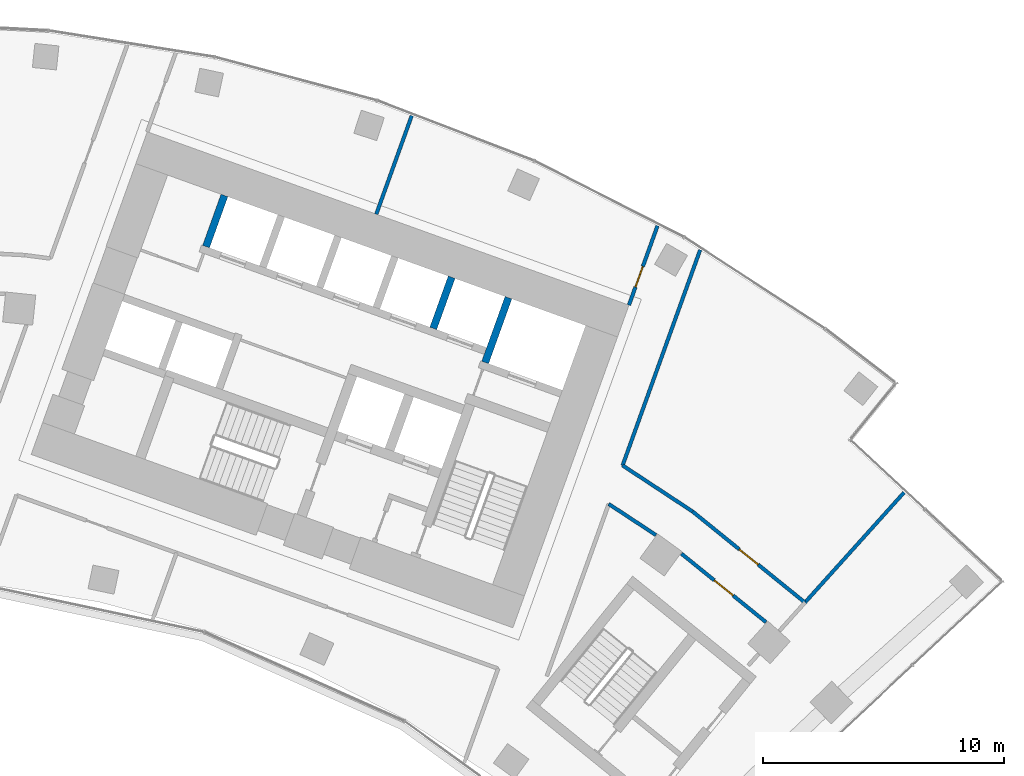
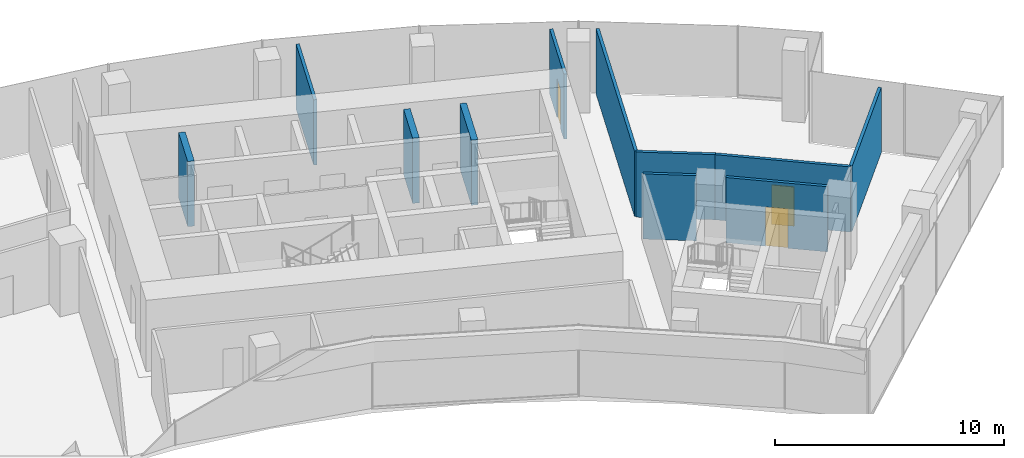
# One storey, part 17 of 20: 11 walls, 3 doors, 3 openings.
"""IFC4 building model written with IfcOpenShell, lengths in metres."""

from ifc_helpers import new_model, si_unit, direction, frame, frame_2d, origin, place, context, subcontext, project, spatial, rectangle, extrude, material, layer, layer_set, type_object, element, fill, save


model = new_model("IFC4")

# Units and contexts
model_context = context("Model", 3, precision=1e-05, world=origin(), true_north=direction((0.0, 1.0)))
body_context = subcontext(model_context, "Body", "Model", "MODEL_VIEW")
ifc_project = project(units=[si_unit("LENGTHUNIT", "METRE"), si_unit("AREAUNIT", "SQUARE_METRE"), si_unit("VOLUMEUNIT", "CUBIC_METRE"), si_unit("PLANEANGLEUNIT", "RADIAN"), si_unit("MASSUNIT", "GRAM", prefix="KILO")], contexts=[model_context])

# Site, building, storey
site_placement = place(None, origin())
site = spatial("IfcSite", under=ifc_project, at=site_placement, CompositionType="ELEMENT")
building_placement = place(site_placement, origin())
building = spatial("IfcBuilding", under=site, at=building_placement, Name="Stone Belt Terrace Tower", CompositionType="ELEMENT")
storey_placement = place(building_placement, frame((0.0, 0.0, 185.800048828125)))
storey = spatial("IfcBuildingStorey", under=building, at=storey_placement, Name="L45", CompositionType="ELEMENT", Elevation=185.800048828125)

# Walls
ifc_material_1 = material(Name="Concrete B80", Category="concrete")
ifc_layer_1 = layer(ifc_material_1, 0.300048828125)
ifc_layer_set_1 = layer_set([ifc_layer_1], Name="Lift shaft wall 300")
wall_type_1 = type_object("IfcWallType", Name="Lift shaft wall 300", PredefinedType="SHEAR", material=ifc_layer_set_1)
wall_1_placement = place(storey_placement, frame((25.046875, 52.46826171875, 0.0), z_axis=(0.0, 0.0, 1.0), x_axis=(0.338549588058, 0.940948551423, 0.0)))
element("IfcWall", 1, at=wall_1_placement, inside=storey, type_object=wall_type_1, Name="Core B wall", PredefinedType="SHEAR", context=body_context, shape_type="SweptSolid", body=[
    extrude(rectangle(XDim=2.849853515625, YDim=0.300048828125, at=frame_2d((1.4248046875, 0.0))), origin(), (0.0, 0.0, 1.0), 3.47998046875),
])
wall_2_placement = place(storey_placement, frame((22.897705078125, 53.87939453125, 0.0), z_axis=(0.0, 0.0, 1.0), x_axis=(0.338535034312, 0.940953787677, 0.0)))
element("IfcWall", 2, at=wall_2_placement, inside=storey, type_object=wall_type_1, Name="Core B wall", PredefinedType="SHEAR", context=body_context, shape_type="SweptSolid", body=[
    extrude(rectangle(XDim=2.25, YDim=0.300048828125, at=frame_2d((1.125, 0.0))), origin(), (0.0, 0.0, 1.0), 3.47998046875),
])
wall_3_placement = place(storey_placement, frame((13.48828125, 57.265625, 0.0), z_axis=(0.0, 0.0, 1.0), x_axis=(0.338631098537, 0.940919220286, 0.0)))
element("IfcWall", 3, at=wall_3_placement, inside=storey, type_object=wall_type_1, Name="Core B wall", PredefinedType="SHEAR", context=body_context, shape_type="SweptSolid", body=[
    extrude(rectangle(XDim=2.250244140625, YDim=0.300048828125, at=frame_2d((1.125, 0.0))), origin(), (0.0, 0.0, 1.0), 3.47998046875),
])

# Wall, opening, door
ifc_material_2 = material(Name="Gypsum board partition")
ifc_layer_2 = layer(ifc_material_2, 0.14990234375)
ifc_layer_set_2 = layer_set([ifc_layer_2], Name="PARTITION 150 EI 60")
wall_type_2 = type_object("IfcWallType", Name="PARTITION 150 EI 60", PredefinedType="PARTITIONING", material=ifc_layer_set_2)
wall_4_placement = place(storey_placement, frame((31.001953125, 54.842041015625, 0.0), z_axis=(0.0, 0.0, 1.0), x_axis=(0.338662585219, 0.940907887826, 0.0)))
wall_4 = element("IfcWall", 4, at=wall_4_placement, inside=storey, type_object=wall_type_2, Name="L45/wall/i021", PredefinedType="PARTITIONING", context=body_context, shape_type="SweptSolid", body=[
    extrude(rectangle(XDim=3.49560546875, YDim=0.14990234375, at=frame_2d((1.747802734375, 0.0))), origin(), (0.0, 0.0, 1.0), 3.47998046875),
])
opening_1_placement = place(wall_4_placement, frame((0.798828125, 0.0, 0.0)))
opening_1 = element("IfcOpeningElement", 5, at=opening_1_placement, cuts=wall_4, Name="Opening D-C5-08", PredefinedType="OPENING", context=body_context, shape_type="SweptSolid", body=[
    extrude(rectangle(XDim=0.89990234375, YDim=2.10009765625, at=frame_2d((0.449951171875, 1.050048828125))), frame((0.0, 0.0849609375, 0.0), z_axis=(0.0, -1.0, 0.0), x_axis=(1.0, 0.0, 0.0)), (0.0, 0.0, 1.0), 0.169921875),
])
ifc_material_3 = material(Name="Timber door leaf", Category="wood")
door_type_1 = type_object("IfcDoorType", Name="OFFICE DOOR 900 X 2100", OperationType="NOTDEFINED", PredefinedType="DOOR", material=ifc_material_3)
door_1_placement = place(opening_1_placement, origin())
door_1 = element("IfcDoor", 6, at=door_1_placement, inside=storey, type_object=door_type_1, Name="L45/door/i08", OperationType="SINGLE_SWING_LEFT", OverallHeight=2.10009765625, OverallWidth=0.89990234375, PredefinedType="DOOR", context=body_context, shape_type="SweptSolid", body=[
    extrude(rectangle(XDim=0.89990234375, YDim=2.10009765625, at=frame_2d((0.449951171875, 1.050048828125))), frame((0.0, 0.02490234375, 0.0), z_axis=(0.0, -1.0, 0.0), x_axis=(1.0, 0.0, 0.0)), (0.0, 0.0, 1.0), 0.050048828125),
])
fill(opening_1, door_1)

# Walls
wall_5_placement = place(storey_placement, frame((33.951904296875, 57.131103515625, 0.0), z_axis=(0.0, 0.0, 1.0), x_axis=(-0.338586530295, -0.940935258933, 0.0)))
element("IfcWall", 7, at=wall_5_placement, inside=storey, type_object=wall_type_2, Name="L45/wall/i024", PredefinedType="PARTITIONING", context=body_context, shape_type="SweptSolid", body=[
    extrude(rectangle(XDim=9.494873046875, YDim=0.14990234375, at=frame_2d((4.74755859375, 0.0))), origin(), (0.0, 0.0, 1.0), 3.47998046875),
])
wall_6_placement = place(storey_placement, frame((22.005859375, 62.68603515625, 0.0), z_axis=(0.0, 0.0, 1.0), x_axis=(-0.338647660264, -0.940913259657, 0.0)))
element("IfcWall", 8, at=wall_6_placement, inside=storey, type_object=wall_type_2, Name="L45/wall/i028", PredefinedType="PARTITIONING", context=body_context, shape_type="SweptSolid", body=[
    extrude(rectangle(XDim=4.334228515625, YDim=0.14990234375, at=frame_2d((2.1669921875, 0.0))), origin(), (0.0, 0.0, 1.0), 3.47998046875),
])
wall_7_placement = place(storey_placement, frame((38.287109375, 42.52099609375, 0.0), z_axis=(0.0, 0.0, 1.0), x_axis=(0.669070076375, 0.743199322457, 0.0)))
element("IfcWall", 9, at=wall_7_placement, inside=storey, type_object=wall_type_2, Name="L45/wall/i053", PredefinedType="PARTITIONING", context=body_context, shape_type="SweptSolid", body=[
    extrude(rectangle(XDim=6.1455078125, YDim=0.14990234375, at=frame_2d((3.07275390625, 0.0))), origin(), (0.0, 0.0, 1.0), 3.47998046875),
])

# Wall, opening, door
wall_8_placement = place(storey_placement, frame((36.677001953125, 41.712890625, 0.0), z_axis=(0.0, 0.0, 1.0), x_axis=(-0.777148951547, 0.629316698578, 0.0)))
wall_8 = element("IfcWall", 10, at=wall_8_placement, inside=storey, type_object=wall_type_2, Name="L45/wall/i054", PredefinedType="PARTITIONING", context=body_context, shape_type="SweptSolid", body=[
    extrude(rectangle(XDim=4.505126953125, YDim=0.14990234375, at=frame_2d((2.25244140625, 0.0))), origin(), (0.0, 0.0, 1.0), 3.47998046875),
])
opening_2_placement = place(wall_8_placement, frame((1.752685546875, 0.0, 0.0)))
opening_2 = element("IfcOpeningElement", 11, at=opening_2_placement, cuts=wall_8, Name="Opening D-C5-17", PredefinedType="OPENING", context=body_context, shape_type="SweptSolid", body=[
    extrude(rectangle(XDim=1.0, YDim=2.10009765625, at=frame_2d((0.5, 1.050048828125))), frame((0.0, 0.0849609375, 0.0), z_axis=(0.0, -1.0, 0.0), x_axis=(1.0, 0.0, 0.0)), (0.0, 0.0, 1.0), 0.169921875),
])
ifc_material_4 = material(Name="Timber fire door leaf", Category="wood")
door_type_2 = type_object("IfcDoorType", Name="TENANCY ENTRANCE DOOR 1000 X 2100", OperationType="NOTDEFINED", PredefinedType="DOOR", material=ifc_material_4)
door_2_placement = place(opening_2_placement, origin())
door_2 = element("IfcDoor", 12, at=door_2_placement, inside=storey, type_object=door_type_2, Name="L45/door/i17", OperationType="SINGLE_SWING_RIGHT", OverallHeight=2.10009765625, OverallWidth=1.0, PredefinedType="DOOR", context=body_context, shape_type="SweptSolid", body=[
    extrude(rectangle(XDim=1.0, YDim=2.10009765625, at=frame_2d((0.5, 1.050048828125))), frame((0.0, 0.02490234375, 0.0), z_axis=(0.0, -1.0, 0.0), x_axis=(1.0, 0.0, 0.0)), (0.0, 0.0, 1.0), 0.050048828125),
])
fill(opening_2, door_2)

# Walls
wall_9_placement = place(storey_placement, frame((32.1181640625, 45.3212890625, 0.0), z_axis=(0.0, 0.0, 1.0), x_axis=(-0.835406992815, 0.549631837102, 0.0)))
element("IfcWall", 13, at=wall_9_placement, inside=storey, type_object=wall_type_2, Name="L45/wall/i055", PredefinedType="PARTITIONING", context=body_context, shape_type="SweptSolid", body=[
    extrude(rectangle(XDim=2.339111328125, YDim=0.14990234375, at=frame_2d((1.16943359375, 0.0))), origin(), (0.0, 0.0, 1.0), 3.47998046875),
])
wall_10_placement = place(storey_placement, frame((30.739013671875, 48.202880859375, 0.0), z_axis=(0.0, 0.0, 1.0), x_axis=(0.835274160171, -0.549833681535, 0.0)))
element("IfcWall", 14, at=wall_10_placement, inside=storey, type_object=wall_type_2, Name="L45/wall/i056", PredefinedType="PARTITIONING", context=body_context, shape_type="SweptSolid", body=[
    extrude(rectangle(XDim=3.46826171875, YDim=0.14990234375, at=frame_2d((1.734130859375, 0.0))), origin(), (0.0, 0.0, 1.0), 3.47998046875),
])

# Wall, opening, door
wall_11_placement = place(storey_placement, frame((33.635986328125, 46.2958984375, 0.0), z_axis=(0.0, 0.0, 1.0), x_axis=(0.777109127033, -0.629365875054, 0.0)))
wall_11 = element("IfcWall", 15, at=wall_11_placement, inside=storey, type_object=wall_type_2, Name="L45/wall/i057", PredefinedType="PARTITIONING", context=body_context, shape_type="SweptSolid", body=[
    extrude(rectangle(XDim=5.990234375, YDim=0.14990234375, at=frame_2d((2.9951171875, 0.0))), origin(), (0.0, 0.0, 1.0), 3.47998046875),
])
opening_3_placement = place(wall_11_placement, frame((2.4951171875, 0.0, 0.0)))
opening_3 = element("IfcOpeningElement", 16, at=opening_3_placement, cuts=wall_11, Name="Opening D-C5-18", PredefinedType="OPENING", context=body_context, shape_type="SweptSolid", body=[
    extrude(rectangle(XDim=1.0, YDim=2.10009765625, at=frame_2d((0.5, 1.050048828125))), frame((0.0, 0.0849609375, 0.0), z_axis=(0.0, -1.0, 0.0), x_axis=(1.0, 0.0, 0.0)), (0.0, 0.0, 1.0), 0.169921875),
])
door_3_placement = place(opening_3_placement, origin())
door_3 = element("IfcDoor", 17, at=door_3_placement, inside=storey, type_object=door_type_2, Name="L45/door/i18", OperationType="SINGLE_SWING_RIGHT", OverallHeight=2.10009765625, OverallWidth=1.0, PredefinedType="DOOR", context=body_context, shape_type="SweptSolid", body=[
    extrude(rectangle(XDim=1.0, YDim=2.10009765625, at=frame_2d((0.5, 1.050048828125))), frame((0.0, 0.02490234375, 0.0), z_axis=(0.0, -1.0, 0.0), x_axis=(1.0, 0.0, 0.0)), (0.0, 0.0, 1.0), 0.050048828125),
])
fill(opening_3, door_3)

save(model, "model.ifc")
